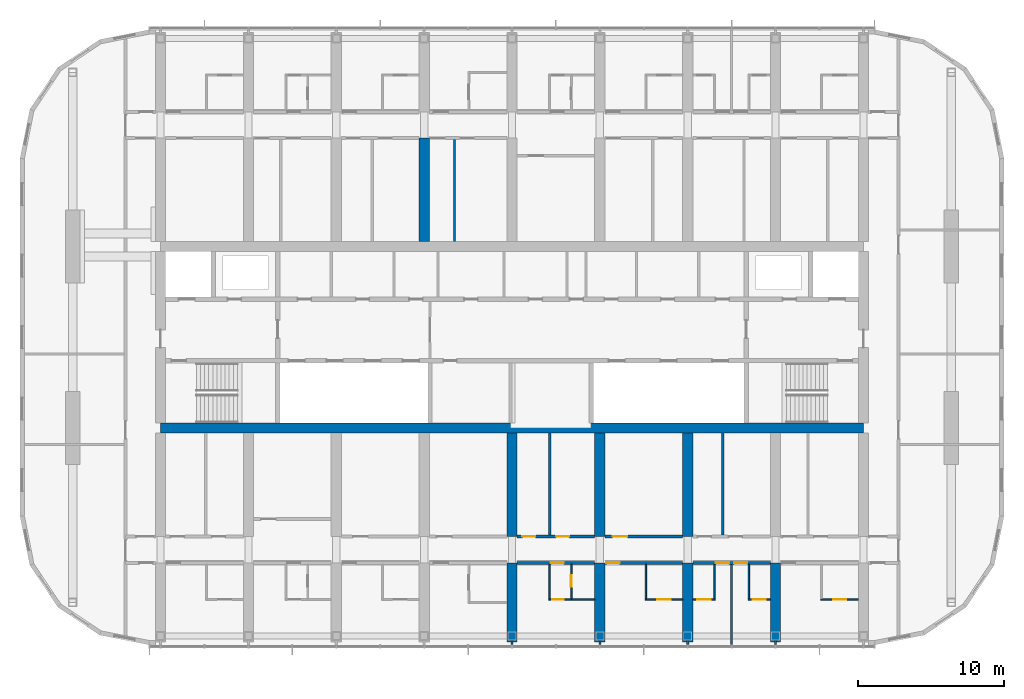
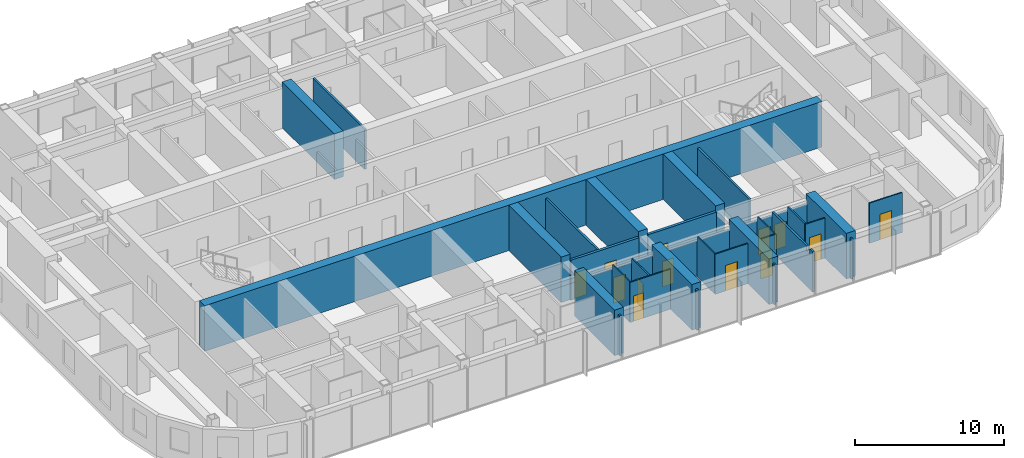
# One storey, part 12 of 23: 32 walls, 13 doors, 13 openings.
"""IFC4 building model written with IfcOpenShell, lengths in metres."""

from ifc_helpers import new_model, si_unit, direction, frame, frame_2d, origin, place, context, subcontext, project, spatial, polyline, rectangle, outline, extrude, material, layer, layer_set, type_object, element, fill, save


model = new_model("IFC4")

# Units and contexts
model_context = context("Model", 3, precision=1e-05, world=origin(), true_north=direction((0.0, 1.0)))
body_context = subcontext(model_context, "Body", "Model", "MODEL_VIEW")
ifc_project = project(units=[si_unit("LENGTHUNIT", "METRE"), si_unit("AREAUNIT", "SQUARE_METRE"), si_unit("VOLUMEUNIT", "CUBIC_METRE"), si_unit("PLANEANGLEUNIT", "RADIAN"), si_unit("MASSUNIT", "GRAM", prefix="KILO")], contexts=[model_context])

# Site, building, storey
site_placement = place(None, origin())
site = spatial("IfcSite", under=ifc_project, at=site_placement, CompositionType="ELEMENT")
building_placement = place(site_placement, origin())
building = spatial("IfcBuilding", under=site, at=building_placement, Name="Orbita Commons", CompositionType="ELEMENT")
storey_placement = place(building_placement, frame((0.0, 0.0, 212.800048828125)))
storey = spatial("IfcBuildingStorey", under=building, at=storey_placement, Name="L52", CompositionType="ELEMENT", Elevation=212.800048828125)

# Wall
ifc_material_1 = material(Name="Concrete C50/60", Category="concrete")
ifc_layer_1 = layer(ifc_material_1, 0.699951171875)
ifc_layer_set_1 = layer_set([ifc_layer_1], Name="Concrete C50/60")
wall_type_1 = type_object("IfcWallType", Name="Core wall 700 C50/60", PredefinedType="SHEAR", material=ifc_layer_set_1)
wall_1_placement = place(storey_placement, frame((18.0, 25.800048828125, 0.0), z_axis=(0.0, 0.0, 1.0), x_axis=(1.0, 0.0, 0.0)))
element("IfcWall", 1, at=wall_1_placement, inside=storey, type_object=wall_type_1, Name="Core spine wall south L52", PredefinedType="SHEAR", context=body_context, shape_type="SweptSolid", body=[
    extrude(rectangle(XDim=48.0, YDim=0.699951171875, at=frame_2d((24.0, 0.0))), origin(), (0.0, 0.0, 1.0), 3.75),
])

# Wall, opening, door
ifc_material_2 = material(Name="Concrete blockwork", Category="masonry")
ifc_layer_2 = layer(ifc_material_2, 0.199951171875)
ifc_layer_set_2 = layer_set([ifc_layer_2], Name="Concrete blockwork")
wall_type_2 = type_object("IfcWallType", Name="Corridor wall 200 blockwork", PredefinedType="SOLIDWALL", material=ifc_layer_set_2)
wall_2_placement = place(storey_placement, frame((42.35009765625, 16.60009765625, 0.0), z_axis=(0.0, 0.0, 1.0), x_axis=(1.0, 0.0, 0.0)))
wall_2 = element("IfcWall", 2, at=wall_2_placement, inside=storey, type_object=wall_type_2, Name="Corridor wall 200 blockwork L52", PredefinedType="SOLIDWALL", context=body_context, shape_type="SweptSolid", body=[
    extrude(outline(polyline([(0.0, 0.0), (5.2998046875, 0.0), (5.300048828125, 2.89990234375), (0.0, 2.89990234375), (0.0, 0.0)])), frame((0.0, 0.10009765625, 0.0), z_axis=(0.0, -1.0, 0.0), x_axis=(1.0, 0.0, 0.0)), (0.0, 0.0, 1.0), 0.199951171875),
])
opening_1_placement = place(wall_2_placement, frame((2.300048828125, 0.0, 0.0)))
opening_1 = element("IfcOpeningElement", 3, at=opening_1_placement, cuts=wall_2, Name="Opening D11", PredefinedType="OPENING", context=body_context, shape_type="SweptSolid", body=[
    extrude(rectangle(XDim=0.89990234375, YDim=2.10009765625, at=frame_2d((0.449951171875, 1.050048828125))), frame((0.0, 0.10986328125, 0.0), z_axis=(0.0, -1.0, 0.0), x_axis=(1.0, 0.0, 0.0)), (0.0, 0.0, 1.0), 0.219970703125),
])
ifc_material_3 = material(Name="Steel-faced fire door leaf", Category="steel")
door_type_1 = type_object("IfcDoorType", Name="Corridor door 20 min 900x2100", OperationType="SINGLE_SWING_LEFT", PredefinedType="DOOR", material=ifc_material_3)
door_1_placement = place(opening_1_placement, origin())
door_1 = element("IfcDoor", 4, at=door_1_placement, inside=storey, type_object=door_type_1, Name="Studio flat L52-S08 entrance door", OperationType="SINGLE_SWING_LEFT", OverallHeight=2.10009765625, OverallWidth=0.89990234375, PredefinedType="DOOR", context=body_context, shape_type="SweptSolid", body=[
    extrude(rectangle(XDim=0.89990234375, YDim=2.10009765625, at=frame_2d((0.449951171875, 1.050048828125))), frame((0.0, 0.02490234375, 0.0), z_axis=(0.0, -1.0, 0.0), x_axis=(1.0, 0.0, 0.0)), (0.0, 0.0, 1.0), 0.050048828125),
])
fill(opening_1, door_1)

wall_3_placement = place(storey_placement, frame((48.35009765625, 16.60009765625, 0.0), z_axis=(0.0, 0.0, 1.0), x_axis=(1.0, 0.0, 0.0)))
wall_3 = element("IfcWall", 5, at=wall_3_placement, inside=storey, type_object=wall_type_2, Name="Corridor wall 200 blockwork L52", PredefinedType="SOLIDWALL", context=body_context, shape_type="SweptSolid", body=[
    extrude(outline(polyline([(0.0, 0.0), (5.2998046875, 0.0), (5.300048828125, 2.89990234375), (0.0, 2.89990234375), (0.0, 0.0)])), frame((0.0, 0.10009765625, 0.0), z_axis=(0.0, -1.0, 0.0), x_axis=(1.0, 0.0, 0.0)), (0.0, 0.0, 1.0), 0.199951171875),
])
opening_2_placement = place(wall_3_placement, frame((0.10009765625, 0.0, 0.0)))
opening_2 = element("IfcOpeningElement", 6, at=opening_2_placement, cuts=wall_3, Name="Opening D11", PredefinedType="OPENING", context=body_context, shape_type="SweptSolid", body=[
    extrude(rectangle(XDim=0.89990234375, YDim=2.10009765625, at=frame_2d((0.449951171875, 1.050048828125))), frame((0.0, 0.10986328125, 0.0), z_axis=(0.0, -1.0, 0.0), x_axis=(1.0, 0.0, 0.0)), (0.0, 0.0, 1.0), 0.219970703125),
])
door_2_placement = place(opening_2_placement, origin())
door_2 = element("IfcDoor", 7, at=door_2_placement, inside=storey, type_object=door_type_1, Name="Studio apartment with kitchenette L52-S10 door", OperationType="SINGLE_SWING_LEFT", OverallHeight=2.10009765625, OverallWidth=0.89990234375, PredefinedType="DOOR", context=body_context, shape_type="SweptSolid", body=[
    extrude(rectangle(XDim=0.89990234375, YDim=2.10009765625, at=frame_2d((0.449951171875, 1.050048828125))), frame((0.0, 0.02490234375, 0.0), z_axis=(0.0, -1.0, 0.0), x_axis=(1.0, 0.0, 0.0)), (0.0, 0.0, 1.0), 0.050048828125),
])
fill(opening_2, door_2)

# Wall, openings, doors
wall_4_placement = place(storey_placement, frame((54.35009765625, 16.60009765625, 0.0), z_axis=(0.0, 0.0, 1.0), x_axis=(1.0, 0.0, 0.0)))
wall_4 = element("IfcWall", 8, at=wall_4_placement, inside=storey, type_object=wall_type_2, Name="Corridor wall 200 blockwork L52", PredefinedType="SOLIDWALL", context=body_context, shape_type="SweptSolid", body=[
    extrude(outline(polyline([(0.0, 0.0), (5.2998046875, 0.0), (5.300048828125, 2.89990234375), (0.0, 2.89990234375), (0.0, 0.0)])), frame((0.0, 0.10009765625, 0.0), z_axis=(0.0, -1.0, 0.0), x_axis=(1.0, 0.0, 0.0)), (0.0, 0.0, 1.0), 0.199951171875),
])
opening_3_placement = place(wall_4_placement, frame((1.574951171875, 0.0, 0.0)))
opening_3 = element("IfcOpeningElement", 9, at=opening_3_placement, cuts=wall_4, Name="Opening D11", PredefinedType="OPENING", context=body_context, shape_type="SweptSolid", body=[
    extrude(rectangle(XDim=0.89990234375, YDim=2.10009765625, at=frame_2d((0.449951171875, 1.050048828125))), frame((0.0, 0.10986328125, 0.0), z_axis=(0.0, -1.0, 0.0), x_axis=(1.0, 0.0, 0.0)), (0.0, 0.0, 1.0), 0.219970703125),
])
opening_4_placement = place(wall_4_placement, frame((2.824951171875, 0.0, 0.0)))
opening_4 = element("IfcOpeningElement", 10, at=opening_4_placement, cuts=wall_4, Name="Opening D11", PredefinedType="OPENING", context=body_context, shape_type="SweptSolid", body=[
    extrude(rectangle(XDim=0.89990234375, YDim=2.10009765625, at=frame_2d((0.449951171875, 1.050048828125))), frame((0.0, 0.10986328125, 0.0), z_axis=(0.0, -1.0, 0.0), x_axis=(1.0, 0.0, 0.0)), (0.0, 0.0, 1.0), 0.219970703125),
])
door_3_placement = place(opening_3_placement, origin())
door_3 = element("IfcDoor", 11, at=door_3_placement, inside=storey, type_object=door_type_1, Name="Cluster bedroom L52-S12 door", OperationType="SINGLE_SWING_LEFT", OverallHeight=2.10009765625, OverallWidth=0.89990234375, PredefinedType="DOOR", context=body_context, shape_type="SweptSolid", body=[
    extrude(rectangle(XDim=0.89990234375, YDim=2.10009765625, at=frame_2d((0.449951171875, 1.050048828125))), frame((0.0, 0.02490234375, 0.0), z_axis=(0.0, -1.0, 0.0), x_axis=(1.0, 0.0, 0.0)), (0.0, 0.0, 1.0), 0.050048828125),
])
fill(opening_3, door_3)
door_4_placement = place(opening_4_placement, origin())
door_4 = element("IfcDoor", 12, at=door_4_placement, inside=storey, type_object=door_type_1, Name="Cluster bedroom L52-S13 door", OperationType="SINGLE_SWING_LEFT", OverallHeight=2.10009765625, OverallWidth=0.89990234375, PredefinedType="DOOR", context=body_context, shape_type="SweptSolid", body=[
    extrude(rectangle(XDim=0.89990234375, YDim=2.10009765625, at=frame_2d((0.449951171875, 1.050048828125))), frame((0.0, 0.02490234375, 0.0), z_axis=(0.0, -1.0, 0.0), x_axis=(1.0, 0.0, 0.0)), (0.0, 0.0, 1.0), 0.050048828125),
])
fill(opening_4, door_4)

ifc_material_4 = material(Name="Hollow concrete block 200", Category="concrete")
ifc_layer_3 = layer(ifc_material_4, 0.199951171875)
ifc_layer_set_3 = layer_set([ifc_layer_3], Name="Hollow concrete block 200")
wall_type_3 = type_object("IfcWallType", Name="Corridor wall 200 hollow concrete block", PredefinedType="SOLIDWALL", material=ifc_layer_set_3)
wall_5_placement = place(storey_placement, frame((42.35009765625, 18.39990234375, 0.0), z_axis=(0.0, 0.0, 1.0), x_axis=(1.0, 0.0, 0.0)))
wall_5 = element("IfcWall", 13, at=wall_5_placement, inside=storey, type_object=wall_type_3, Name="Corridor wall 200 hollow concrete block L52", PredefinedType="SOLIDWALL", context=body_context, shape_type="SweptSolid", body=[
    extrude(rectangle(XDim=5.2998046875, YDim=0.199951171875, at=frame_2d((2.64990234375, 0.0))), origin(), (0.0, 0.0, 1.0), 3.300048828125),
])
opening_5_placement = place(wall_5_placement, frame((0.35009765625, 0.0, 0.0)))
opening_5 = element("IfcOpeningElement", 14, at=opening_5_placement, cuts=wall_5, Name="Opening D11", PredefinedType="OPENING", context=body_context, shape_type="SweptSolid", body=[
    extrude(rectangle(XDim=0.89990234375, YDim=2.10009765625, at=frame_2d((0.449951171875, 1.050048828125))), frame((0.0, 0.10986328125, 0.0), z_axis=(0.0, -1.0, 0.0), x_axis=(1.0, 0.0, 0.0)), (0.0, 0.0, 1.0), 0.219970703125),
])
opening_6_placement = place(wall_5_placement, frame((2.655029296875, 0.0, 0.0)))
opening_6 = element("IfcOpeningElement", 15, at=opening_6_placement, cuts=wall_5, Name="Opening D11", PredefinedType="OPENING", context=body_context, shape_type="SweptSolid", body=[
    extrude(rectangle(XDim=0.89990234375, YDim=2.10009765625, at=frame_2d((0.449951171875, 1.050048828125))), frame((0.0, 0.10986328125, 0.0), z_axis=(0.0, -1.0, 0.0), x_axis=(1.0, 0.0, 0.0)), (0.0, 0.0, 1.0), 0.219970703125),
])
door_5_placement = place(opening_5_placement, origin())
door_5 = element("IfcDoor", 16, at=door_5_placement, inside=storey, type_object=door_type_1, Name="Equipment store L52-BDS42n door", OperationType="SINGLE_SWING_LEFT", OverallHeight=2.10009765625, OverallWidth=0.89990234375, PredefinedType="DOOR", context=body_context, shape_type="SweptSolid", body=[
    extrude(rectangle(XDim=0.89990234375, YDim=2.10009765625, at=frame_2d((0.449951171875, 1.050048828125))), frame((0.0, 0.02490234375, 0.0), z_axis=(0.0, -1.0, 0.0), x_axis=(1.0, 0.0, 0.0)), (0.0, 0.0, 1.0), 0.050048828125),
])
fill(opening_5, door_5)
door_6_placement = place(opening_6_placement, origin())
door_6 = element("IfcDoor", 17, at=door_6_placement, inside=storey, type_object=door_type_1, Name="Interview room L52-BDS42 door", OperationType="SINGLE_SWING_LEFT", OverallHeight=2.10009765625, OverallWidth=0.89990234375, PredefinedType="DOOR", context=body_context, shape_type="SweptSolid", body=[
    extrude(rectangle(XDim=0.89990234375, YDim=2.10009765625, at=frame_2d((0.449951171875, 1.050048828125))), frame((0.0, 0.02490234375, 0.0), z_axis=(0.0, -1.0, 0.0), x_axis=(1.0, 0.0, 0.0)), (0.0, 0.0, 1.0), 0.050048828125),
])
fill(opening_6, door_6)

# Wall, opening, door
wall_6_placement = place(storey_placement, frame((48.35009765625, 18.39990234375, 0.0), z_axis=(0.0, 0.0, 1.0), x_axis=(1.0, 0.0, 0.0)))
wall_6 = element("IfcWall", 18, at=wall_6_placement, inside=storey, type_object=wall_type_3, Name="Corridor wall 200 hollow concrete block L52", PredefinedType="SOLIDWALL", context=body_context, shape_type="SweptSolid", body=[
    extrude(rectangle(XDim=5.2998046875, YDim=0.199951171875, at=frame_2d((2.64990234375, 0.0))), origin(), (0.0, 0.0, 1.0), 3.300048828125),
])
opening_7_placement = place(wall_6_placement, frame((0.52490234375, 0.0, 0.0)))
opening_7 = element("IfcOpeningElement", 19, at=opening_7_placement, cuts=wall_6, Name="Opening D06", PredefinedType="OPENING", context=body_context, shape_type="SweptSolid", body=[
    extrude(rectangle(XDim=1.0, YDim=2.10009765625, at=frame_2d((0.5, 1.050048828125))), frame((0.0, 0.10986328125, 0.0), z_axis=(0.0, -1.0, 0.0), x_axis=(1.0, 0.0, 0.0)), (0.0, 0.0, 1.0), 0.219970703125),
])
ifc_material_5 = material(Name="Steel-faced fire door leaf", Category="steel")
door_type_2 = type_object("IfcDoorType", Name="Corridor door 20 min 1000x2100", OperationType="SINGLE_SWING_LEFT", PredefinedType="DOOR", material=ifc_material_5)
door_7_placement = place(opening_7_placement, origin())
door_7 = element("IfcDoor", 20, at=door_7_placement, inside=storey, type_object=door_type_2, Name="Electrical and data room L52-BDS48 door", OperationType="SINGLE_SWING_LEFT", OverallHeight=2.10009765625, OverallWidth=1.0, PredefinedType="DOOR", context=body_context, shape_type="SweptSolid", body=[
    extrude(rectangle(XDim=1.0, YDim=2.10009765625, at=frame_2d((0.5, 1.050048828125))), frame((0.0, 0.02490234375, 0.0), z_axis=(0.0, -1.0, 0.0), x_axis=(1.0, 0.0, 0.0)), (0.0, 0.0, 1.0), 0.050048828125),
])
fill(opening_7, door_7)

# Walls
ifc_material_6 = material(Name="Concrete C50/60", Category="concrete")
ifc_layer_4 = layer(ifc_material_6, 0.699951171875)
ifc_layer_set_4 = layer_set([ifc_layer_4], Name="Concrete C50/60")
wall_type_4 = type_object("IfcWallType", Name="Cross wall 700 C50/60", PredefinedType="SHEAR", material=ifc_layer_set_4)
wall_7_placement = place(storey_placement, frame((36.0, 38.550048828125, 0.0), z_axis=(0.0, 0.0, 1.0), x_axis=(0.0, 1.0, 0.0)))
element("IfcWall", 21, at=wall_7_placement, inside=storey, type_object=wall_type_4, Name="Cross wall 7 north inner L52", PredefinedType="SHEAR", context=body_context, shape_type="SweptSolid", body=[
    extrude(rectangle(XDim=7.050048828125, YDim=0.699951171875, at=frame_2d((3.52490234375, 0.0))), origin(), (0.0, 0.0, 1.0), 3.75),
])
wall_8_placement = place(storey_placement, frame((42.0, 11.199951171875, 0.0), z_axis=(0.0, 0.0, 1.0), x_axis=(0.0, 1.0, 0.0)))
element("IfcWall", 22, at=wall_8_placement, inside=storey, type_object=wall_type_4, Name="Cross wall 8 south outer L52", PredefinedType="SHEAR", context=body_context, shape_type="SweptSolid", body=[
    extrude(rectangle(XDim=5.400146484375, YDim=0.699951171875, at=frame_2d((2.7001953125, 0.0))), origin(), (0.0, 0.0, 1.0), 3.75),
])
wall_9_placement = place(storey_placement, frame((42.0, 18.39990234375, 0.0), z_axis=(0.0, 0.0, 1.0), x_axis=(0.0, 1.0, 0.0)))
element("IfcWall", 23, at=wall_9_placement, inside=storey, type_object=wall_type_4, Name="Cross wall 8 south inner L52", PredefinedType="SHEAR", context=body_context, shape_type="SweptSolid", body=[
    extrude(rectangle(XDim=7.050048828125, YDim=0.699951171875, at=frame_2d((3.52490234375, 0.0))), origin(), (0.0, 0.0, 1.0), 3.75),
])
wall_10_placement = place(storey_placement, frame((48.0, 11.199951171875, 0.0), z_axis=(0.0, 0.0, 1.0), x_axis=(0.0, 1.0, 0.0)))
element("IfcWall", 24, at=wall_10_placement, inside=storey, type_object=wall_type_4, Name="Cross wall 9 south outer L52", PredefinedType="SHEAR", context=body_context, shape_type="SweptSolid", body=[
    extrude(rectangle(XDim=5.400146484375, YDim=0.699951171875, at=frame_2d((2.7001953125, 0.0))), origin(), (0.0, 0.0, 1.0), 3.75),
])
wall_11_placement = place(storey_placement, frame((48.0, 18.39990234375, 0.0), z_axis=(0.0, 0.0, 1.0), x_axis=(0.0, 1.0, 0.0)))
element("IfcWall", 25, at=wall_11_placement, inside=storey, type_object=wall_type_4, Name="Cross wall 9 south inner L52", PredefinedType="SHEAR", context=body_context, shape_type="SweptSolid", body=[
    extrude(rectangle(XDim=7.050048828125, YDim=0.699951171875, at=frame_2d((3.52490234375, 0.0))), origin(), (0.0, 0.0, 1.0), 3.75),
])
wall_12_placement = place(storey_placement, frame((54.0, 11.199951171875, 0.0), z_axis=(0.0, 0.0, 1.0), x_axis=(0.0, 1.0, 0.0)))
element("IfcWall", 26, at=wall_12_placement, inside=storey, type_object=wall_type_4, Name="Cross wall 10 south outer L52", PredefinedType="SHEAR", context=body_context, shape_type="SweptSolid", body=[
    extrude(rectangle(XDim=5.400146484375, YDim=0.699951171875, at=frame_2d((2.7001953125, 0.0))), origin(), (0.0, 0.0, 1.0), 3.75),
])
wall_13_placement = place(storey_placement, frame((54.0, 18.39990234375, 0.0), z_axis=(0.0, 0.0, 1.0), x_axis=(0.0, 1.0, 0.0)))
element("IfcWall", 27, at=wall_13_placement, inside=storey, type_object=wall_type_4, Name="Cross wall 10 south inner L52", PredefinedType="SHEAR", context=body_context, shape_type="SweptSolid", body=[
    extrude(rectangle(XDim=7.050048828125, YDim=0.699951171875, at=frame_2d((3.52490234375, 0.0))), origin(), (0.0, 0.0, 1.0), 3.75),
])
wall_14_placement = place(storey_placement, frame((60.0, 11.199951171875, 0.0), z_axis=(0.0, 0.0, 1.0), x_axis=(0.0, 1.0, 0.0)))
element("IfcWall", 28, at=wall_14_placement, inside=storey, type_object=wall_type_4, Name="Cross wall 11 south outer L52", PredefinedType="SHEAR", context=body_context, shape_type="SweptSolid", body=[
    extrude(rectangle(XDim=5.400146484375, YDim=0.699951171875, at=frame_2d((2.7001953125, 0.0))), origin(), (0.0, 0.0, 1.0), 3.75),
])

# Wall, opening, door
ifc_material_7 = material(Name="Moisture-resistant plasterboard on steel studs", Category="steel")
ifc_layer_5 = layer(ifc_material_7, 0.10009765625)
ifc_layer_set_5 = layer_set([ifc_layer_5], Name="Moisture-resistant plasterboard on steel studs")
wall_type_5 = type_object("IfcWallType", Name="En-suite partition 100", PredefinedType="PARTITIONING", material=ifc_layer_set_5)
wall_15_placement = place(storey_placement, frame((47.64990234375, 14.10009765625, 0.0), z_axis=(0.0, 0.0, 1.0), x_axis=(-1.0, 0.0, 0.0)))
wall_15 = element("IfcWall", 29, at=wall_15_placement, inside=storey, type_object=wall_type_5, Name="En-suite partition 100 L52", PredefinedType="PARTITIONING", context=body_context, shape_type="SweptSolid", body=[
    extrude(rectangle(XDim=3.14990234375, YDim=0.10009765625, at=frame_2d((1.574951171875, 0.0))), origin(), (0.0, 0.0, 1.0), 3.300048828125),
])
opening_8_placement = place(wall_15_placement, frame((2.10009765625, 0.0, 0.0)))
opening_8 = element("IfcOpeningElement", 30, at=opening_8_placement, cuts=wall_15, Name="Opening D16", PredefinedType="OPENING", context=body_context, shape_type="SweptSolid", body=[
    extrude(rectangle(XDim=0.800048828125, YDim=2.10009765625, at=frame_2d((0.39990234375, 1.050048828125))), frame((0.0, 0.06005859375, 0.0), z_axis=(0.0, -1.0, 0.0), x_axis=(1.0, 0.0, 0.0)), (0.0, 0.0, 1.0), 0.1201171875),
])
ifc_material_8 = material(Name="Laminated timber door leaf", Category="wood")
door_type_3 = type_object("IfcDoorType", Name="En-suite door 800x2100", OperationType="SINGLE_SWING_RIGHT", PredefinedType="DOOR", material=ifc_material_8)
door_8_placement = place(opening_8_placement, origin())
door_8 = element("IfcDoor", 31, at=door_8_placement, inside=storey, type_object=door_type_3, Name="Studio flat L52-S08 door", OperationType="SINGLE_SWING_RIGHT", OverallHeight=2.10009765625, OverallWidth=0.800048828125, PredefinedType="DOOR", context=body_context, shape_type="SweptSolid", body=[
    extrude(rectangle(XDim=0.800048828125, YDim=2.10009765625, at=frame_2d((0.39990234375, 1.050048828125))), frame((0.0, 0.02490234375, 0.0), z_axis=(0.0, -1.0, 0.0), x_axis=(1.0, 0.0, 0.0)), (0.0, 0.0, 1.0), 0.050048828125),
])
fill(opening_8, door_8)

# Wall
wall_16_placement = place(storey_placement, frame((44.550048828125, 14.14990234375, 0.0), z_axis=(0.0, 0.0, 1.0), x_axis=(0.0, 1.0, 0.0)))
element("IfcWall", 32, at=wall_16_placement, inside=storey, type_object=wall_type_5, Name="En-suite partition 100 L52", PredefinedType="PARTITIONING", context=body_context, shape_type="SweptSolid", body=[
    extrude(outline(polyline([(0.0, 0.0), (2.35009765625, 0.0), (2.35009765625, 2.89990234375), (2.302001953125, 2.89990234375), (2.300048828125, 3.300048828125), (0.0, 3.300048828125), (0.0, 0.0)])), frame((0.0, 0.050048828125, 0.0), z_axis=(0.0, -1.0, 0.0), x_axis=(1.0, 0.0, 0.0)), (0.0, 0.0, 1.0), 0.10009765625),
])

# Wall, opening, door
wall_17_placement = place(storey_placement, frame((46.050048828125, 14.14990234375, 0.0), z_axis=(0.0, 0.0, 1.0), x_axis=(0.0, 1.0, 0.0)))
wall_17 = element("IfcWall", 33, at=wall_17_placement, inside=storey, type_object=wall_type_5, Name="En-suite partition 100 L52", PredefinedType="PARTITIONING", context=body_context, shape_type="SweptSolid", body=[
    extrude(outline(polyline([(0.0, 0.0), (2.35009765625, 0.0), (2.35009765625, 2.89990234375), (2.302001953125, 2.89990234375), (2.300048828125, 3.300048828125), (0.0, 3.300048828125), (0.0, 0.0)])), frame((0.0, 0.050048828125, 0.0), z_axis=(0.0, -1.0, 0.0), x_axis=(1.0, 0.0, 0.0)), (0.0, 0.0, 1.0), 0.10009765625),
])
opening_9_placement = place(wall_17_placement, frame((0.800048828125, 0.0, 0.0)))
opening_9 = element("IfcOpeningElement", 34, at=opening_9_placement, cuts=wall_17, Name="Opening D16", PredefinedType="OPENING", context=body_context, shape_type="SweptSolid", body=[
    extrude(rectangle(XDim=0.800048828125, YDim=2.10009765625, at=frame_2d((0.39990234375, 1.050048828125))), frame((0.0, 0.06005859375, 0.0), z_axis=(0.0, -1.0, 0.0), x_axis=(1.0, 0.0, 0.0)), (0.0, 0.0, 1.0), 0.1201171875),
])
door_9_placement = place(opening_9_placement, origin())
door_9 = element("IfcDoor", 35, at=door_9_placement, inside=storey, type_object=door_type_3, Name="Studio flat shower room L52-S08 door", OperationType="SINGLE_SWING_RIGHT", OverallHeight=2.10009765625, OverallWidth=0.800048828125, PredefinedType="DOOR", context=body_context, shape_type="SweptSolid", body=[
    extrude(rectangle(XDim=0.800048828125, YDim=2.10009765625, at=frame_2d((0.39990234375, 1.050048828125))), frame((0.0, 0.02490234375, 0.0), z_axis=(0.0, -1.0, 0.0), x_axis=(1.0, 0.0, 0.0)), (0.0, 0.0, 1.0), 0.050048828125),
])
fill(opening_9, door_9)

wall_18_placement = place(storey_placement, frame((53.64990234375, 14.10009765625, 0.0), z_axis=(0.0, 0.0, 1.0), x_axis=(-1.0, 0.0, 0.0)))
wall_18 = element("IfcWall", 36, at=wall_18_placement, inside=storey, type_object=wall_type_5, Name="En-suite partition 100 L52", PredefinedType="PARTITIONING", context=body_context, shape_type="SweptSolid", body=[
    extrude(rectangle(XDim=2.5498046875, YDim=0.10009765625, at=frame_2d((1.27490234375, 0.0))), origin(), (0.0, 0.0, 1.0), 3.300048828125),
])
opening_10_placement = place(wall_18_placement, frame((0.824951171875, 0.0, 0.0)))
opening_10 = element("IfcOpeningElement", 37, at=opening_10_placement, cuts=wall_18, Name="Opening D09", PredefinedType="OPENING", context=body_context, shape_type="SweptSolid", body=[
    extrude(rectangle(XDim=0.89990234375, YDim=2.10009765625, at=frame_2d((0.449951171875, 1.050048828125))), frame((0.0, 0.06005859375, 0.0), z_axis=(0.0, -1.0, 0.0), x_axis=(1.0, 0.0, 0.0)), (0.0, 0.0, 1.0), 0.1201171875),
])
ifc_material_9 = material(Name="Laminated timber door leaf", Category="wood")
door_type_4 = type_object("IfcDoorType", Name="En-suite door 900x2100", OperationType="SINGLE_SWING_RIGHT", PredefinedType="DOOR", material=ifc_material_9)
door_10_placement = place(opening_10_placement, origin())
door_10 = element("IfcDoor", 38, at=door_10_placement, inside=storey, type_object=door_type_4, Name="En-suite L52-S10 door", OperationType="SINGLE_SWING_RIGHT", OverallHeight=2.10009765625, OverallWidth=0.89990234375, PredefinedType="DOOR", context=body_context, shape_type="SweptSolid", body=[
    extrude(rectangle(XDim=0.89990234375, YDim=2.10009765625, at=frame_2d((0.449951171875, 1.050048828125))), frame((0.0, 0.02490234375, 0.0), z_axis=(0.0, -1.0, 0.0), x_axis=(1.0, 0.0, 0.0)), (0.0, 0.0, 1.0), 0.050048828125),
])
fill(opening_10, door_10)

# Wall
wall_19_placement = place(storey_placement, frame((51.14990234375, 14.14990234375, 0.0), z_axis=(0.0, 0.0, 1.0), x_axis=(0.0, 1.0, 0.0)))
element("IfcWall", 39, at=wall_19_placement, inside=storey, type_object=wall_type_5, Name="En-suite partition 100 L52", PredefinedType="PARTITIONING", context=body_context, shape_type="SweptSolid", body=[
    extrude(outline(polyline([(0.0, 0.0), (2.35009765625, 0.0), (2.35009765625, 2.89990234375), (2.302001953125, 2.89990234375), (2.300048828125, 3.300048828125), (0.0, 3.300048828125), (0.0, 0.0)])), frame((0.0, 0.050048828125, 0.0), z_axis=(0.0, -1.0, 0.0), x_axis=(1.0, 0.0, 0.0)), (0.0, 0.0, 1.0), 0.10009765625),
])

# Wall, opening, door
wall_20_placement = place(storey_placement, frame((55.875, 14.10009765625, 0.0), z_axis=(0.0, 0.0, 1.0), x_axis=(-1.0, 0.0, 0.0)))
wall_20 = element("IfcWall", 40, at=wall_20_placement, inside=storey, type_object=wall_type_5, Name="En-suite partition 100 L52", PredefinedType="PARTITIONING", context=body_context, shape_type="SweptSolid", body=[
    extrude(rectangle(XDim=1.52490234375, YDim=0.10009765625, at=frame_2d((0.762451171875, 0.0))), origin(), (0.0, 0.0, 1.0), 3.300048828125),
])
opening_11_placement = place(wall_20_placement, frame((0.3125, 0.0, 0.0)))
opening_11 = element("IfcOpeningElement", 41, at=opening_11_placement, cuts=wall_20, Name="Opening D09", PredefinedType="OPENING", context=body_context, shape_type="SweptSolid", body=[
    extrude(rectangle(XDim=0.89990234375, YDim=2.10009765625, at=frame_2d((0.449951171875, 1.050048828125))), frame((0.0, 0.06005859375, 0.0), z_axis=(0.0, -1.0, 0.0), x_axis=(1.0, 0.0, 0.0)), (0.0, 0.0, 1.0), 0.1201171875),
])
door_11_placement = place(opening_11_placement, origin())
door_11 = element("IfcDoor", 42, at=door_11_placement, inside=storey, type_object=door_type_4, Name="En-suite L52-S12 door", OperationType="SINGLE_SWING_RIGHT", OverallHeight=2.10009765625, OverallWidth=0.89990234375, PredefinedType="DOOR", context=body_context, shape_type="SweptSolid", body=[
    extrude(rectangle(XDim=0.89990234375, YDim=2.10009765625, at=frame_2d((0.449951171875, 1.050048828125))), frame((0.0, 0.02490234375, 0.0), z_axis=(0.0, -1.0, 0.0), x_axis=(1.0, 0.0, 0.0)), (0.0, 0.0, 1.0), 0.050048828125),
])
fill(opening_11, door_11)

# Wall
wall_21_placement = place(storey_placement, frame((55.824951171875, 14.14990234375, 0.0), z_axis=(0.0, 0.0, 1.0), x_axis=(0.0, 1.0, 0.0)))
element("IfcWall", 43, at=wall_21_placement, inside=storey, type_object=wall_type_5, Name="En-suite partition 100 L52", PredefinedType="PARTITIONING", context=body_context, shape_type="SweptSolid", body=[
    extrude(outline(polyline([(0.0, 0.0), (2.35009765625, 0.0), (2.35009765625, 2.89990234375), (2.302001953125, 2.89990234375), (2.300048828125, 3.300048828125), (0.0, 3.300048828125), (0.0, 0.0)])), frame((0.0, 0.050048828125, 0.0), z_axis=(0.0, -1.0, 0.0), x_axis=(1.0, 0.0, 0.0)), (0.0, 0.0, 1.0), 0.10009765625),
])

# Wall, opening, door
wall_22_placement = place(storey_placement, frame((59.64990234375, 14.10009765625, 0.0), z_axis=(0.0, 0.0, 1.0), x_axis=(-1.0, 0.0, 0.0)))
wall_22 = element("IfcWall", 44, at=wall_22_placement, inside=storey, type_object=wall_type_5, Name="En-suite partition 100 L52", PredefinedType="PARTITIONING", context=body_context, shape_type="SweptSolid", body=[
    extrude(rectangle(XDim=1.52490234375, YDim=0.10009765625, at=frame_2d((0.762451171875, 0.0))), origin(), (0.0, 0.0, 1.0), 3.300048828125),
])
opening_12_placement = place(wall_22_placement, frame((0.3125, 0.0, 0.0)))
opening_12 = element("IfcOpeningElement", 45, at=opening_12_placement, cuts=wall_22, Name="Opening D09", PredefinedType="OPENING", context=body_context, shape_type="SweptSolid", body=[
    extrude(rectangle(XDim=0.89990234375, YDim=2.10009765625, at=frame_2d((0.449951171875, 1.050048828125))), frame((0.0, 0.06005859375, 0.0), z_axis=(0.0, -1.0, 0.0), x_axis=(1.0, 0.0, 0.0)), (0.0, 0.0, 1.0), 0.1201171875),
])
door_12_placement = place(opening_12_placement, origin())
door_12 = element("IfcDoor", 46, at=door_12_placement, inside=storey, type_object=door_type_4, Name="En-suite L52-S13 door", OperationType="SINGLE_SWING_RIGHT", OverallHeight=2.10009765625, OverallWidth=0.89990234375, PredefinedType="DOOR", context=body_context, shape_type="SweptSolid", body=[
    extrude(rectangle(XDim=0.89990234375, YDim=2.10009765625, at=frame_2d((0.449951171875, 1.050048828125))), frame((0.0, 0.02490234375, 0.0), z_axis=(0.0, -1.0, 0.0), x_axis=(1.0, 0.0, 0.0)), (0.0, 0.0, 1.0), 0.050048828125),
])
fill(opening_12, door_12)

# Wall
wall_23_placement = place(storey_placement, frame((58.175048828125, 14.14990234375, 0.0), z_axis=(0.0, 0.0, 1.0), x_axis=(0.0, 1.0, 0.0)))
element("IfcWall", 47, at=wall_23_placement, inside=storey, type_object=wall_type_5, Name="En-suite partition 100 L52", PredefinedType="PARTITIONING", context=body_context, shape_type="SweptSolid", body=[
    extrude(outline(polyline([(0.0, 0.0), (2.35009765625, 0.0), (2.35009765625, 2.89990234375), (2.302001953125, 2.89990234375), (2.300048828125, 3.300048828125), (0.0, 3.300048828125), (0.0, 0.0)])), frame((0.0, 0.050048828125, 0.0), z_axis=(0.0, -1.0, 0.0), x_axis=(1.0, 0.0, 0.0)), (0.0, 0.0, 1.0), 0.10009765625),
])

# Wall, opening, door
wall_24_placement = place(storey_placement, frame((65.64990234375, 14.10009765625, 0.0), z_axis=(0.0, 0.0, 1.0), x_axis=(-1.0, 0.0, 0.0)))
wall_24 = element("IfcWall", 48, at=wall_24_placement, inside=storey, type_object=wall_type_5, Name="En-suite partition 100 L52", PredefinedType="PARTITIONING", context=body_context, shape_type="SweptSolid", body=[
    extrude(rectangle(XDim=2.5498046875, YDim=0.10009765625, at=frame_2d((1.27490234375, 0.0))), origin(), (0.0, 0.0, 1.0), 3.300048828125),
])
opening_13_placement = place(wall_24_placement, frame((0.824951171875, 0.0, 0.0)))
opening_13 = element("IfcOpeningElement", 49, at=opening_13_placement, cuts=wall_24, Name="Opening D09", PredefinedType="OPENING", context=body_context, shape_type="SweptSolid", body=[
    extrude(rectangle(XDim=0.89990234375, YDim=2.10009765625, at=frame_2d((0.449951171875, 1.050048828125))), frame((0.0, 0.06005859375, 0.0), z_axis=(0.0, -1.0, 0.0), x_axis=(1.0, 0.0, 0.0)), (0.0, 0.0, 1.0), 0.1201171875),
])
door_13_placement = place(opening_13_placement, origin())
door_13 = element("IfcDoor", 50, at=door_13_placement, inside=storey, type_object=door_type_4, Name="En-suite L52-S14 door", OperationType="SINGLE_SWING_RIGHT", OverallHeight=2.10009765625, OverallWidth=0.89990234375, PredefinedType="DOOR", context=body_context, shape_type="SweptSolid", body=[
    extrude(rectangle(XDim=0.89990234375, YDim=2.10009765625, at=frame_2d((0.449951171875, 1.050048828125))), frame((0.0, 0.02490234375, 0.0), z_axis=(0.0, -1.0, 0.0), x_axis=(1.0, 0.0, 0.0)), (0.0, 0.0, 1.0), 0.050048828125),
])
fill(opening_13, door_13)

# Walls
ifc_material_10 = material(Name="Gypsum plasterboard on steel studs", Category="steel")
ifc_layer_6 = layer(ifc_material_10, 0.14990234375)
ifc_layer_set_6 = layer_set([ifc_layer_6], Name="Gypsum plasterboard on steel studs")
wall_type_6 = type_object("IfcWallType", Name="Partition 150 plasterboard", PredefinedType="PARTITIONING", material=ifc_layer_set_6)
for number, where, z_axis, x_axis, name in (
    (51, (44.580078125, 18.5, 0.0), (0.0, 0.0, 1.0), (0.0, 1.0, 0.0), "Partition 150 plasterboard L52"),
    (52, (56.389892578125, 18.5, 0.0), (0.0, 0.0, 1.0), (0.0, 1.0, 0.0), "Partition 150 plasterboard L52"),
    (53, (38.074951171875, 38.550048828125, 0.0), (0.0, 0.0, 1.0), (0.0, 1.0, 0.0), "Partition 150 plasterboard L52"),
):
    element("IfcWall", number, at=place(storey_placement, frame(where, z_axis=z_axis, x_axis=x_axis)), inside=storey, type_object=wall_type_6, Name=name, PredefinedType="PARTITIONING", context=body_context, shape_type="SweptSolid", body=[
        extrude(rectangle(XDim=6.949951171875, YDim=0.14990234375, at=frame_2d((3.47509765625, 0.0))), origin(), (0.0, 0.0, 1.0), 3.300048828125),
    ])
for number, where, z_axis, x_axis, name in (
    (54, (42.0, 11.300048828125, 0.0), (0.0, 0.0, 1.0), (0.0, -1.0, 0.0), "Partition 150 plasterboard L52"),
    (55, (48.0, 11.300048828125, 0.0), (0.0, 0.0, 1.0), (0.0, -1.0, 0.0), "Partition 150 plasterboard L52"),
    (56, (54.0, 11.300048828125, 0.0), (0.0, 0.0, 1.0), (0.0, -1.0, 0.0), "Partition 150 plasterboard L52"),
    (57, (60.0, 11.300048828125, 0.0), (0.0, 0.0, 1.0), (0.0, -1.0, 0.0), "Partition 150 plasterboard L52"),
):
    element("IfcWall", number, at=place(storey_placement, frame(where, z_axis=z_axis, x_axis=x_axis)), inside=storey, type_object=wall_type_6, Name=name, PredefinedType="PARTITIONING", context=body_context, shape_type="SweptSolid", body=[
        extrude(rectangle(XDim=0.2900390625, YDim=0.14990234375, at=frame_2d((0.14501953125, 0.0))), origin(), (0.0, 0.0, 1.0), 3.300048828125),
    ])
ifc_material_11 = material(Name="Gypsum plasterboard on steel studs", Category="steel")
ifc_layer_7 = layer(ifc_material_11, 0.14990234375)
ifc_layer_set_7 = layer_set([ifc_layer_7], Name="Gypsum plasterboard on steel studs")
wall_type_7 = type_object("IfcWallType", Name="Party wall 150 plasterboard", PredefinedType="PARTITIONING", material=ifc_layer_set_7)
wall_25_placement = place(storey_placement, frame((57.0, 11.010009765625, 0.0), z_axis=(0.0, 0.0, 1.0), x_axis=(0.0, 1.0, 0.0)))
element("IfcWall", 58, at=wall_25_placement, inside=storey, type_object=wall_type_7, Name="Party wall 150 plasterboard L52", PredefinedType="PARTITIONING", context=body_context, shape_type="SweptSolid", body=[
    extrude(outline(polyline([(0.0, 0.0), (5.489990234375, 0.0), (5.489990234375, 2.89990234375), (5.44189453125, 2.89990234375), (5.43994140625, 3.300048828125), (0.7919921875, 3.300048828125), (0.7900390625, 2.89990234375), (0.39208984375, 2.89990234375), (0.389892578125, 3.300048828125), (0.0, 3.300048828125), (0.0, 0.0)])), frame((0.0, 0.074951171875, 0.0), z_axis=(0.0, -1.0, 0.0), x_axis=(1.0, 0.0, 0.0)), (0.0, 0.0, 1.0), 0.14990234375),
])

save(model, "model.ifc")
